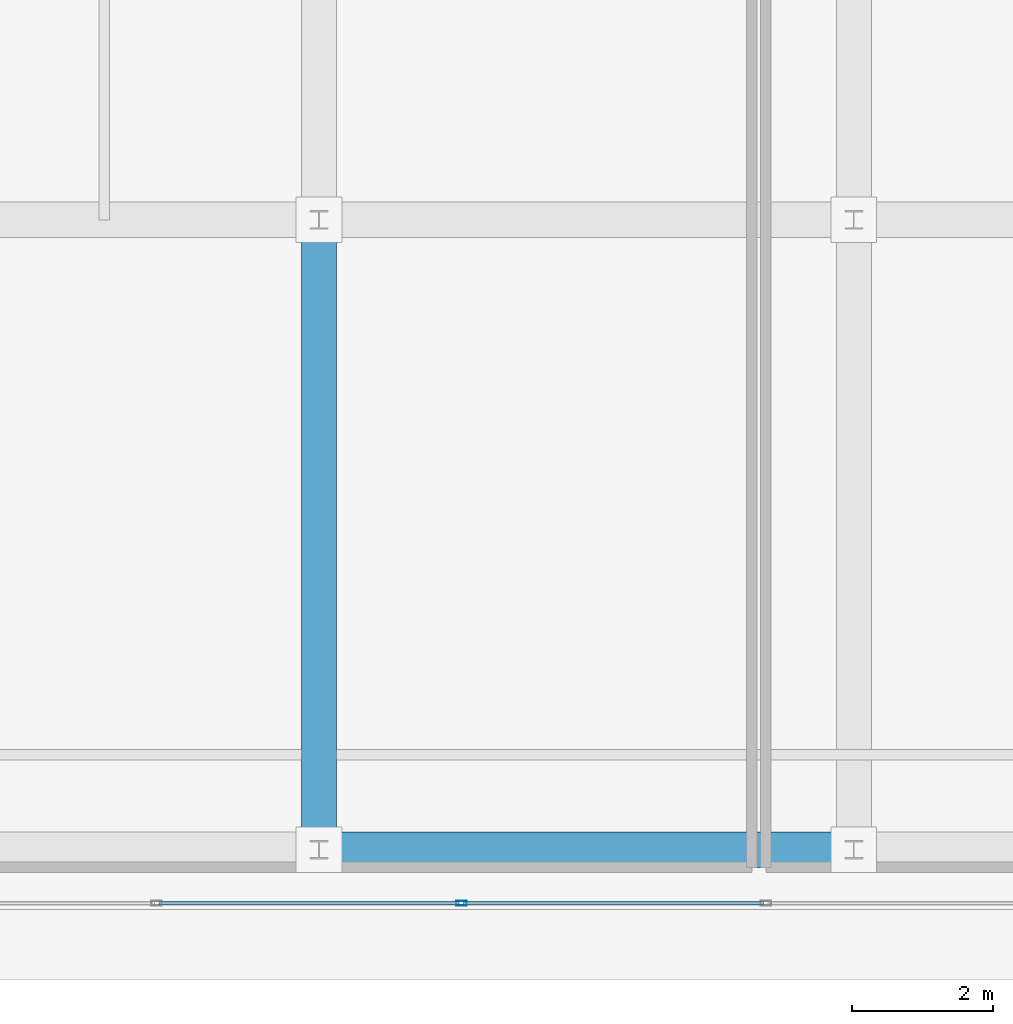
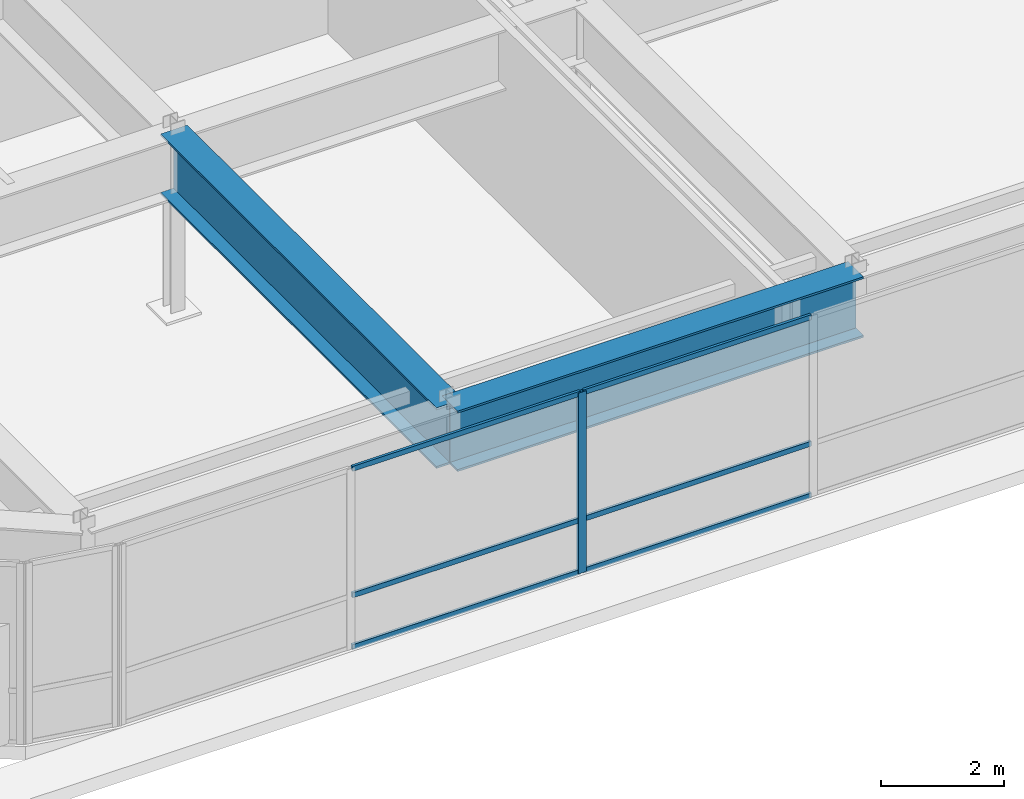
# One storey, part 7 of 35: 7 members, 2 beams, 1 element without a shape of its own.
"""IFC4 building model written with IfcOpenShell, lengths in metres."""

from ifc_helpers import new_model, si_unit, direction, frame, origin, origin_2d, place, context, subcontext, project, spatial, hollow_rectangle, i_section, extrude, source, transform, mapped, material, layer, layer_set, material_profile, profile_set, type_object, type_shapes, element, aggregate, save


model = new_model("IFC4")

# Units and contexts
model_context = context("Model", 3, precision=1e-05, world=origin(), true_north=direction((0.0, 1.0)))
body_context = subcontext(model_context, "Body", "Model", "MODEL_VIEW")
ifc_project = project(units=[si_unit("LENGTHUNIT", "METRE"), si_unit("AREAUNIT", "SQUARE_METRE"), si_unit("VOLUMEUNIT", "CUBIC_METRE"), si_unit("PLANEANGLEUNIT", "RADIAN"), si_unit("MASSUNIT", "GRAM", prefix="KILO")], contexts=[model_context])

# Site, building, storey
site_placement = place(None, origin())
site = spatial("IfcSite", under=ifc_project, at=site_placement, CompositionType="ELEMENT")
building_placement = place(site_placement, origin())
building = spatial("IfcBuilding", under=site, at=building_placement, Name="Tolvann Quenvar Hotel", CompositionType="ELEMENT")
storey_placement = place(building_placement, frame((0.0, 0.0, 290.949951171875)))
storey = spatial("IfcBuildingStorey", under=building, at=storey_placement, Name="L77", CompositionType="ELEMENT", Elevation=290.949951171875)

# Beams
ifc_material_1 = material(Name="Steel Grade 350", Category="steel")
ifc_material_profile_1 = material_profile(ifc_material_1, i_section(OverallWidth=0.5, OverallDepth=1.199951171875, WebThickness=0.01611328125, FlangeThickness=0.0400390625, at=origin_2d()), Name="1200WB455")
ifc_profile_set_1 = profile_set([ifc_material_profile_1], Name="Steel Grade 350")
beam_type = type_object("IfcBeamType", Name="BM_TG_1200WB455", PredefinedType="USERDEFINED", material=ifc_profile_set_1)
shared_shape_1 = source(origin(), body_context, "Body", "SweptSolid", [
    extrude(i_section(OverallWidth=0.5, OverallDepth=1.199951171875, WebThickness=0.01611328125, FlangeThickness=0.0400390625, at=origin_2d()), origin(), (0.0, 0.0, 1.0), 8.949951171875),
])
beam_1_placement = place(storey_placement, frame((14.449951171875, 7.050048828125, 2.97998046875), z_axis=(0.0, 1.0, 0.0), x_axis=(-1.0, 0.0, 0.0)))
element("IfcBeam", 1, at=beam_1_placement, inside=storey, type_object=beam_type, Name="BM-L77-NS-D2-D4", ObjectType="TRANSFER GIRDER", PredefinedType="USERDEFINED", context=body_context, shape_type="MappedRepresentation", body=[
    mapped(shared_shape_1, transform((0.0, 0.0, 0.0), x_axis=(1.0, 0.0, 0.0), y_axis=(0.0, 1.0, 0.0), z_axis=(0.0, 0.0, 1.0), scale=1.0)),
])
shared_shape_2 = source(origin(), body_context, "Body", "SweptSolid", [
    extrude(i_section(OverallWidth=0.5, OverallDepth=1.199951171875, WebThickness=0.01611328125, FlangeThickness=0.0400390625, at=origin_2d()), origin(), (0.0, 0.0, 1.0), 7.60009765625),
])
type_shapes(beam_type, [shared_shape_1, shared_shape_2])
beam_2_placement = place(storey_placement, frame((14.449951171875, 7.050048828125, 2.97998046875), z_axis=(1.0, 0.0, 0.0), x_axis=(0.0, 1.0, 0.0)))
element("IfcBeam", 2, at=beam_2_placement, inside=storey, type_object=beam_type, Name="BM-L77-EW-2-D2-E2", ObjectType="TRANSFER GIRDER", PredefinedType="USERDEFINED", context=body_context, shape_type="MappedRepresentation", body=[
    mapped(shared_shape_2, transform((0.0, 0.0, 0.0), x_axis=(1.0, 0.0, 0.0), y_axis=(0.0, 1.0, 0.0), z_axis=(0.0, 0.0, 1.0), scale=1.0)),
])

# Curtain wall, members
ifc_material_2 = material(Name="Thermally broken anodised architectural aluminium 6063-T6 and laminated low-E glass", Category="aluminium")
ifc_layer = layer(ifc_material_2, 0.179931640625)
ifc_layer_set = layer_set([ifc_layer], Name="Thermally broken anodised architectural aluminium 6063-T6 and laminated low-E glass")
curtain_wall_type = type_object("IfcCurtainWallType", Name="CW_SYS_LANT_06", PredefinedType="USERDEFINED", material=ifc_layer_set)
curtain_wall_placement = place(storey_placement, origin())
curtain_wall = element("IfcCurtainWall", 3, at=curtain_wall_placement, inside=storey, type_object=curtain_wall_type, Name="Curtain Wall CW-LANT-06 (CWR-L77-E04)", ObjectType="UNITISED CURTAIN WALL", PredefinedType="USERDEFINED")
ifc_material_3 = material(Name="Anodised architectural aluminium 6063-T6 framing", Category="aluminium")
ifc_material_profile_2 = material_profile(ifc_material_3, hollow_rectangle(XDim=0.06494140625, YDim=0.14990234375, WallThickness=0.00390625, at=origin_2d()), Name="150x65x4RHS")
ifc_profile_set_2 = profile_set([ifc_material_profile_2], Name="Anodised architectural aluminium 6063-T6 framing")
member_type_1 = type_object("IfcMemberType", Name="CW_MULL_150x65", PredefinedType="MULLION", material=ifc_profile_set_2)
shared_shape_3 = source(origin(), body_context, "Body", "SweptSolid", [
    extrude(hollow_rectangle(XDim=0.06494140625, YDim=0.14990234375, WallThickness=0.00390625, at=origin_2d()), origin(), (0.0, 0.0, 1.0), 3.580078125),
])
type_shapes(member_type_1, [shared_shape_3])
member_1_placement = place(storey_placement, frame((16.472412109375, 6.2900390625, 0.0), z_axis=(0.0, 0.0, 1.0), x_axis=(0.0, 1.0, 0.0)))
member_1 = element("IfcMember", 4, at=member_1_placement, type_object=member_type_1, Name="CW-LANT-06 mullion 3", PredefinedType="MULLION", context=body_context, shape_type="MappedRepresentation", body=[
    mapped(shared_shape_3, transform((0.0, 0.0, 0.0), x_axis=(1.0, 0.0, 0.0), y_axis=(0.0, 1.0, 0.0), z_axis=(0.0, 0.0, 1.0), scale=1.0)),
])
ifc_material_profile_3 = material_profile(ifc_material_3, hollow_rectangle(XDim=0.050048828125, YDim=0.10009765625, WallThickness=0.0029296875, at=origin_2d()), Name="100x50x3RHS")
ifc_profile_set_3 = profile_set([ifc_material_profile_3], Name="Anodised architectural aluminium 6063-T6 framing")
member_type_2 = type_object("IfcMemberType", Name="CW_TRAN_100x50", PredefinedType="USERDEFINED", material=ifc_profile_set_3)
shared_shape_4 = source(origin(), body_context, "Body", "SweptSolid", [
    extrude(hollow_rectangle(XDim=0.050048828125, YDim=0.10009765625, WallThickness=0.0029296875, at=origin_2d()), origin(), (0.0, 0.0, 1.0), 4.2626953125),
])
type_shapes(member_type_2, [shared_shape_4])
member_2_placement = place(storey_placement, frame((12.17724609375, 6.2900390625, 0.025146484375), z_axis=(1.0, 0.0, 0.0), x_axis=(0.0, 1.0, 0.0)))
member_2 = element("IfcMember", 5, at=member_2_placement, type_object=member_type_2, Name="CW-LANT-06 transom 2.1", ObjectType="TRANSOM", PredefinedType="USERDEFINED", context=body_context, shape_type="MappedRepresentation", body=[
    mapped(shared_shape_4, transform((0.0, 0.0, 0.0), x_axis=(1.0, 0.0, 0.0), y_axis=(0.0, 1.0, 0.0), z_axis=(0.0, 0.0, 1.0), scale=1.0)),
])
member_3_placement = place(storey_placement, frame((12.17724609375, 6.2900390625, 1.050048828125), z_axis=(1.0, 0.0, 0.0), x_axis=(0.0, 1.0, 0.0)))
member_3 = element("IfcMember", 6, at=member_3_placement, type_object=member_type_2, Name="CW-LANT-06 transom 2.2", ObjectType="TRANSOM", PredefinedType="USERDEFINED", context=body_context, shape_type="MappedRepresentation", body=[
    mapped(shared_shape_4, transform((0.0, 0.0, 0.0), x_axis=(1.0, 0.0, 0.0), y_axis=(0.0, 1.0, 0.0), z_axis=(0.0, 0.0, 1.0), scale=1.0)),
])
member_4_placement = place(storey_placement, frame((12.17724609375, 6.2900390625, 3.554931640625), z_axis=(1.0, 0.0, 0.0), x_axis=(0.0, 1.0, 0.0)))
member_4 = element("IfcMember", 7, at=member_4_placement, type_object=member_type_2, Name="CW-LANT-06 transom 2.3", ObjectType="TRANSOM", PredefinedType="USERDEFINED", context=body_context, shape_type="MappedRepresentation", body=[
    mapped(shared_shape_4, transform((0.0, 0.0, 0.0), x_axis=(1.0, 0.0, 0.0), y_axis=(0.0, 1.0, 0.0), z_axis=(0.0, 0.0, 1.0), scale=1.0)),
])
member_5_placement = place(storey_placement, frame((16.5048828125, 6.2900390625, 0.025146484375), z_axis=(1.0, 0.0, 0.0), x_axis=(0.0, 1.0, 0.0)))
member_5 = element("IfcMember", 8, at=member_5_placement, type_object=member_type_2, Name="CW-LANT-06 transom 3.1", ObjectType="TRANSOM", PredefinedType="USERDEFINED", context=body_context, shape_type="MappedRepresentation", body=[
    mapped(shared_shape_4, transform((0.0, 0.0, 0.0), x_axis=(1.0, 0.0, 0.0), y_axis=(0.0, 1.0, 0.0), z_axis=(0.0, 0.0, 1.0), scale=1.0)),
])
member_6_placement = place(storey_placement, frame((16.5048828125, 6.2900390625, 1.050048828125), z_axis=(1.0, 0.0, 0.0), x_axis=(0.0, 1.0, 0.0)))
member_6 = element("IfcMember", 9, at=member_6_placement, type_object=member_type_2, Name="CW-LANT-06 transom 3.2", ObjectType="TRANSOM", PredefinedType="USERDEFINED", context=body_context, shape_type="MappedRepresentation", body=[
    mapped(shared_shape_4, transform((0.0, 0.0, 0.0), x_axis=(1.0, 0.0, 0.0), y_axis=(0.0, 1.0, 0.0), z_axis=(0.0, 0.0, 1.0), scale=1.0)),
])
member_7_placement = place(storey_placement, frame((16.5048828125, 6.2900390625, 3.554931640625), z_axis=(1.0, 0.0, 0.0), x_axis=(0.0, 1.0, 0.0)))
member_7 = element("IfcMember", 10, at=member_7_placement, type_object=member_type_2, Name="CW-LANT-06 transom 3.3", ObjectType="TRANSOM", PredefinedType="USERDEFINED", context=body_context, shape_type="MappedRepresentation", body=[
    mapped(shared_shape_4, transform((0.0, 0.0, 0.0), x_axis=(1.0, 0.0, 0.0), y_axis=(0.0, 1.0, 0.0), z_axis=(0.0, 0.0, 1.0), scale=1.0)),
])
aggregate(curtain_wall, [member_1, member_2, member_3, member_4, member_5, member_6, member_7])

save(model, "model.ifc")
